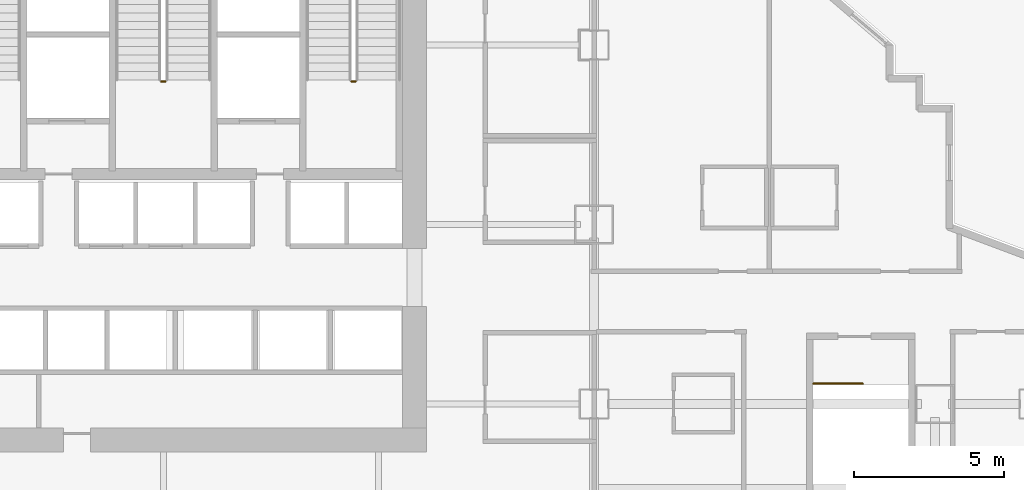
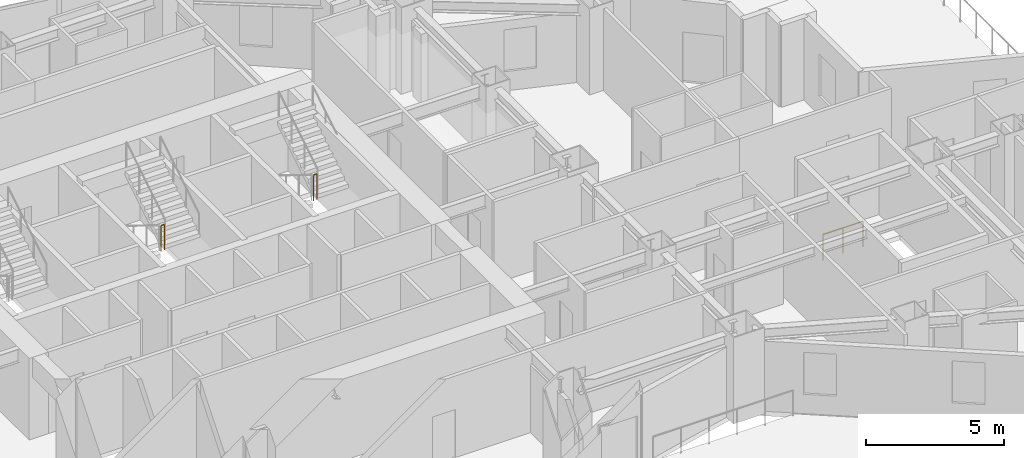
# One storey, part 17 of 20: 3 railings.
"""IFC4 building model written with IfcOpenShell, lengths in metres."""

from ifc_helpers import new_model, si_unit, direction, frame, origin, origin_2d, place, context, subcontext, project, spatial, circle, extrude, material, type_object, element, save


model = new_model("IFC4")

# Units and contexts
model_context = context("Model", 3, precision=1e-05, world=origin(), true_north=direction((0.0, 1.0)))
body_context = subcontext(model_context, "Body", "Model", "MODEL_VIEW")
ifc_project = project(units=[si_unit("LENGTHUNIT", "METRE"), si_unit("AREAUNIT", "SQUARE_METRE"), si_unit("VOLUMEUNIT", "CUBIC_METRE"), si_unit("PLANEANGLEUNIT", "RADIAN"), si_unit("MASSUNIT", "GRAM", prefix="KILO")], contexts=[model_context])

# Site, building, storey
site_placement = place(None, origin())
site = spatial("IfcSite", under=ifc_project, at=site_placement, CompositionType="ELEMENT")
building_placement = place(site_placement, origin())
building = spatial("IfcBuilding", under=site, at=building_placement, Name="Haolan Belvedere Tower", CompositionType="ELEMENT")
storey_placement = place(building_placement, frame((0.0, 0.0, 24.0)))
storey = spatial("IfcBuildingStorey", under=building, at=storey_placement, Name="L05", CompositionType="ELEMENT", Elevation=24.0)

# Railings
ifc_material = material(Name="Brushed stainless steel 304", Category="steel")
railing_type = type_object("IfcRailingType", Name="RL-STAIR-GRD-1150", PredefinedType="GUARDRAIL", material=ifc_material)
railing_1_placement = place(storey_placement, frame((38.330078125, 38.3798828125, 1.89990234375)))
element("IfcRailing", 1, at=railing_1_placement, inside=storey, type_object=railing_type, Name="L05 ST3 stair guard 2", PredefinedType="GUARDRAIL", context=body_context, shape_type="SweptSolid", body=[
    extrude(circle(Radius=0.02392578125, at=origin_2d()), frame((0.0, 0.0, 1.1259765625), z_axis=(1.0, 0.0, 0.0), x_axis=(0.0, 1.0, 0.0)), (0.0, 0.0, 1.0), 0.139892578125),
    extrude(circle(Radius=0.02099609375, at=origin_2d()), origin(), (0.0, 0.0, 1.0), 1.101806640625),
    extrude(circle(Radius=0.02099609375, at=origin_2d()), frame((0.139892578125, 0.0, 0.0)), (0.0, 0.0, 1.0), 1.101806640625),
])
railing_2_placement = place(storey_placement, frame((44.68994140625, 38.3798828125, 1.89990234375)))
element("IfcRailing", 2, at=railing_2_placement, inside=storey, type_object=railing_type, Name="L05 ST2 stair guard 2", PredefinedType="GUARDRAIL", context=body_context, shape_type="SweptSolid", body=[
    extrude(circle(Radius=0.02392578125, at=origin_2d()), frame((0.0, 0.0, 1.1259765625), z_axis=(1.0, 0.0, 0.0), x_axis=(0.0, 1.0, 0.0)), (0.0, 0.0, 1.0), 0.14013671875),
    extrude(circle(Radius=0.02099609375, at=origin_2d()), origin(), (0.0, 0.0, 1.0), 1.101806640625),
    extrude(circle(Radius=0.02099609375, at=origin_2d()), frame((0.14013671875, 0.0, 0.0)), (0.0, 0.0, 1.0), 1.101806640625),
])
railing_3_placement = place(storey_placement, frame((60.1201171875, 28.280029296875, 0.0)))
element("IfcRailing", 3, at=railing_3_placement, inside=storey, type_object=railing_type, Name="L05 ST5 top well guard 1", PredefinedType="GUARDRAIL", context=body_context, shape_type="SweptSolid", body=[
    extrude(circle(Radius=0.02392578125, at=origin_2d()), frame((0.0, 0.0, 1.1259765625), z_axis=(1.0, 0.0, 0.0), x_axis=(0.0, 1.0, 0.0)), (0.0, 0.0, 1.0), 1.659912109375),
    extrude(circle(Radius=0.02099609375, at=origin_2d()), origin(), (0.0, 0.0, 1.0), 1.101806640625),
    extrude(circle(Radius=0.02099609375, at=origin_2d()), frame((0.830078125, 0.0, 0.0)), (0.0, 0.0, 1.0), 1.101806640625),
    extrude(circle(Radius=0.02099609375, at=origin_2d()), frame((1.659912109375, 0.0, 0.0)), (0.0, 0.0, 1.0), 1.101806640625),
])

save(model, "model.ifc")
